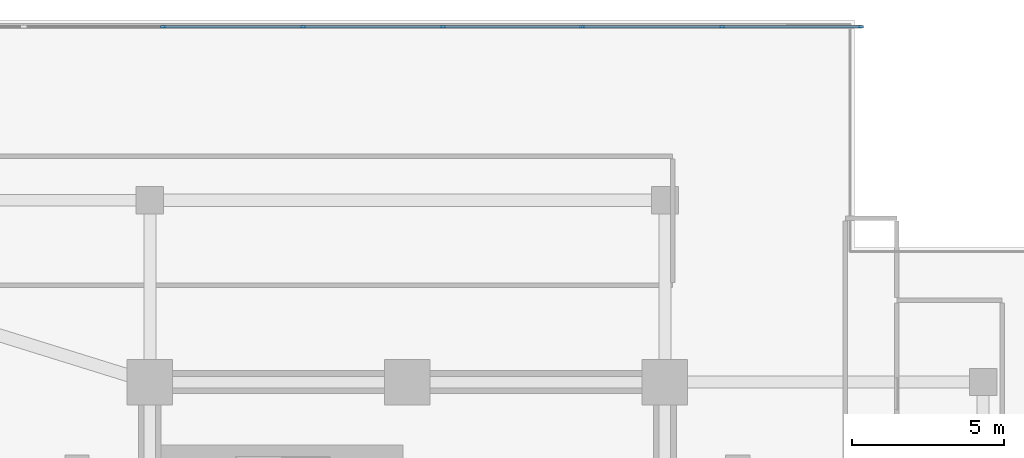
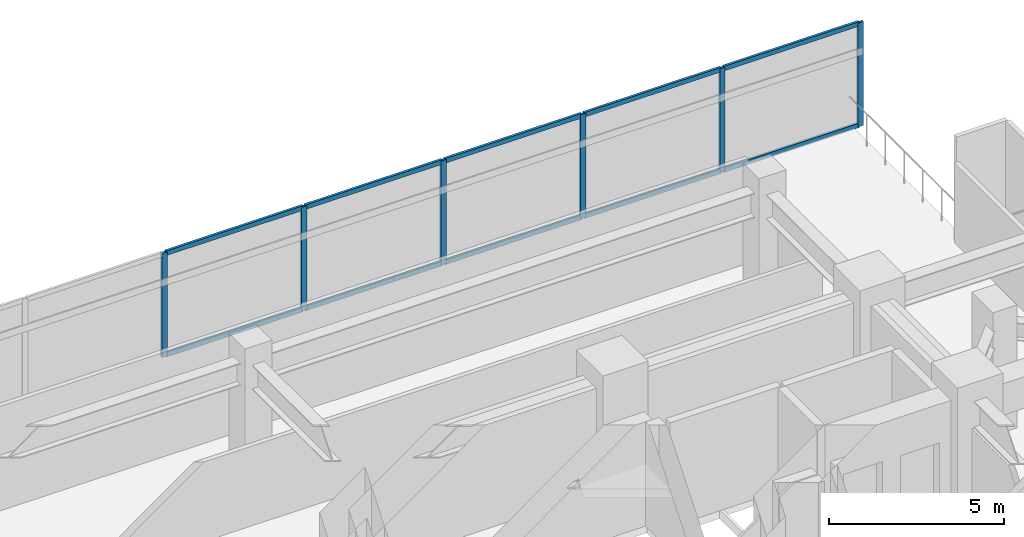
# One storey, part 10 of 26: 16 members, 1 element without a shape of its own.
"""IFC4 building model written with IfcOpenShell, lengths in metres."""

from ifc_helpers import new_model, si_unit, direction, frame, origin, origin_2d, place, context, subcontext, project, spatial, rectangle, extrude, material, material_profile, profile_set, type_object, element, aggregate, save


model = new_model("IFC4")

# Units and contexts
model_context = context("Model", 3, precision=1e-05, world=origin(), true_north=direction((0.0, 1.0)))
body_context = subcontext(model_context, "Body", "Model", "MODEL_VIEW")
ifc_project = project(units=[si_unit("LENGTHUNIT", "METRE"), si_unit("AREAUNIT", "SQUARE_METRE"), si_unit("VOLUMEUNIT", "CUBIC_METRE"), si_unit("PLANEANGLEUNIT", "RADIAN"), si_unit("MASSUNIT", "GRAM", prefix="KILO")], contexts=[model_context])

# Site, building, storey
site_placement = place(None, origin())
site = spatial("IfcSite", under=ifc_project, at=site_placement, CompositionType="ELEMENT")
building_placement = place(site_placement, origin())
building = spatial("IfcBuilding", under=site, at=building_placement, Name="Mirazonda Arch Towers", CompositionType="ELEMENT")
storey_placement = place(building_placement, frame((0.0, 0.0, 13.800048828125)))
storey = spatial("IfcBuildingStorey", under=building, at=storey_placement, Name="L03", CompositionType="ELEMENT", Elevation=13.800048828125)

# Curtain wall, members
ifc_material_1 = material(Name="Anodised Aluminium and Low-E Glass", Category="aluminium")
curtain_wall_type = type_object("IfcCurtainWallType", Name="CW-POD-STORE", PredefinedType="NOTDEFINED", material=ifc_material_1)
curtain_wall_placement = place(storey_placement, origin())
curtain_wall = element("IfcCurtainWall", 1, at=curtain_wall_placement, inside=storey, type_object=curtain_wall_type, Name="L03 Curtain Wall CW-L03-N1", PredefinedType="NOTDEFINED")
ifc_material_2 = material(Name="Anodised Aluminium Alloy", Category="aluminium")
ifc_material_profile_1 = material_profile(ifc_material_2, rectangle(XDim=0.080078125, YDim=0.179931640625, at=origin_2d()), Name="ALU-MULL-80x180")
ifc_profile_set_1 = profile_set([ifc_material_profile_1], Name="Anodised Aluminium Alloy")
member_type_1 = type_object("IfcMemberType", Name="MULL-CW-POD-STORE", PredefinedType="MULLION", material=ifc_profile_set_1)
member_1_placement = place(storey_placement, frame((68.4443359375, 52.530029296875, 0.0), z_axis=(0.0, 0.0, 1.0), x_axis=(0.0, 1.0, 0.0)))
member_1 = element("IfcMember", 2, at=member_1_placement, type_object=member_type_1, Name="CW-102 mullion 14", PredefinedType="MULLION", context=body_context, shape_type="SweptSolid", body=[
    extrude(rectangle(XDim=0.080078125, YDim=0.179931640625, at=origin_2d()), origin(), (0.0, 0.0, 1.0), 3.6298828125),
])
member_2_placement = place(storey_placement, frame((73.0556640625, 52.530029296875, 0.0), z_axis=(0.0, 0.0, 1.0), x_axis=(0.0, 1.0, 0.0)))
member_2 = element("IfcMember", 3, at=member_2_placement, type_object=member_type_1, Name="CW-102 mullion 15", PredefinedType="MULLION", context=body_context, shape_type="SweptSolid", body=[
    extrude(rectangle(XDim=0.080078125, YDim=0.179931640625, at=origin_2d()), origin(), (0.0, 0.0, 1.0), 3.6298828125),
])
member_3_placement = place(storey_placement, frame((77.666748046875, 52.530029296875, 0.0), z_axis=(0.0, 0.0, 1.0), x_axis=(0.0, 1.0, 0.0)))
member_3 = element("IfcMember", 4, at=member_3_placement, type_object=member_type_1, Name="CW-102 mullion 16", PredefinedType="MULLION", context=body_context, shape_type="SweptSolid", body=[
    extrude(rectangle(XDim=0.080078125, YDim=0.179931640625, at=origin_2d()), origin(), (0.0, 0.0, 1.0), 3.6298828125),
])
member_4_placement = place(storey_placement, frame((82.27783203125, 52.530029296875, 0.0), z_axis=(0.0, 0.0, 1.0), x_axis=(0.0, 1.0, 0.0)))
member_4 = element("IfcMember", 5, at=member_4_placement, type_object=member_type_1, Name="CW-102 mullion 17", PredefinedType="MULLION", context=body_context, shape_type="SweptSolid", body=[
    extrude(rectangle(XDim=0.080078125, YDim=0.179931640625, at=origin_2d()), origin(), (0.0, 0.0, 1.0), 3.6298828125),
])
member_5_placement = place(storey_placement, frame((86.888916015625, 52.530029296875, 0.0), z_axis=(0.0, 0.0, 1.0), x_axis=(0.0, 1.0, 0.0)))
member_5 = element("IfcMember", 6, at=member_5_placement, type_object=member_type_1, Name="CW-102 mullion 18", PredefinedType="MULLION", context=body_context, shape_type="SweptSolid", body=[
    extrude(rectangle(XDim=0.080078125, YDim=0.179931640625, at=origin_2d()), origin(), (0.0, 0.0, 1.0), 3.6298828125),
])
member_6_placement = place(storey_placement, frame((91.4599609375, 52.530029296875, 0.0), z_axis=(0.0, 0.0, 1.0), x_axis=(0.0, 1.0, 0.0)))
member_6 = element("IfcMember", 7, at=member_6_placement, type_object=member_type_1, Name="CW-102 mullion 19", PredefinedType="MULLION", context=body_context, shape_type="SweptSolid", body=[
    extrude(rectangle(XDim=0.080078125, YDim=0.179931640625, at=origin_2d()), origin(), (0.0, 0.0, 1.0), 3.6298828125),
])
ifc_material_profile_2 = material_profile(ifc_material_2, rectangle(XDim=0.080078125, YDim=0.159912109375, at=origin_2d()), Name="ALU-TRAN-80x160")
ifc_profile_set_2 = profile_set([ifc_material_profile_2], Name="Anodised Aluminium Alloy")
member_type_2 = type_object("IfcMemberType", Name="TRAN-CW-POD-STORE", PredefinedType="USERDEFINED", material=ifc_profile_set_2)
member_7_placement = place(storey_placement, frame((68.484375, 52.530029296875, 0.0400390625), z_axis=(1.0, 0.0, 0.0), x_axis=(0.0, 1.0, 0.0)))
member_7 = element("IfcMember", 8, at=member_7_placement, type_object=member_type_2, Name="CW-102 transom 14.1", ObjectType="TRANSOM", PredefinedType="USERDEFINED", context=body_context, shape_type="SweptSolid", body=[
    extrude(rectangle(XDim=0.080078125, YDim=0.159912109375, at=origin_2d()), origin(), (0.0, 0.0, 1.0), 4.53125),
])
member_8_placement = place(storey_placement, frame((68.484375, 52.530029296875, 3.58984375), z_axis=(1.0, 0.0, 0.0), x_axis=(0.0, 1.0, 0.0)))
member_8 = element("IfcMember", 9, at=member_8_placement, type_object=member_type_2, Name="CW-102 transom 14.2", ObjectType="TRANSOM", PredefinedType="USERDEFINED", context=body_context, shape_type="SweptSolid", body=[
    extrude(rectangle(XDim=0.080078125, YDim=0.159912109375, at=origin_2d()), origin(), (0.0, 0.0, 1.0), 4.53125),
])
member_9_placement = place(storey_placement, frame((73.095458984375, 52.530029296875, 0.0400390625), z_axis=(1.0, 0.0, 0.0), x_axis=(0.0, 1.0, 0.0)))
member_9 = element("IfcMember", 10, at=member_9_placement, type_object=member_type_2, Name="CW-102 transom 15.1", ObjectType="TRANSOM", PredefinedType="USERDEFINED", context=body_context, shape_type="SweptSolid", body=[
    extrude(rectangle(XDim=0.080078125, YDim=0.159912109375, at=origin_2d()), origin(), (0.0, 0.0, 1.0), 4.53125),
])
member_10_placement = place(storey_placement, frame((73.095458984375, 52.530029296875, 3.58984375), z_axis=(1.0, 0.0, 0.0), x_axis=(0.0, 1.0, 0.0)))
member_10 = element("IfcMember", 11, at=member_10_placement, type_object=member_type_2, Name="CW-102 transom 15.2", ObjectType="TRANSOM", PredefinedType="USERDEFINED", context=body_context, shape_type="SweptSolid", body=[
    extrude(rectangle(XDim=0.080078125, YDim=0.159912109375, at=origin_2d()), origin(), (0.0, 0.0, 1.0), 4.53125),
])
member_11_placement = place(storey_placement, frame((77.706787109375, 52.530029296875, 0.0400390625), z_axis=(1.0, 0.0, 0.0), x_axis=(0.0, 1.0, 0.0)))
member_11 = element("IfcMember", 12, at=member_11_placement, type_object=member_type_2, Name="CW-102 transom 16.1", ObjectType="TRANSOM", PredefinedType="USERDEFINED", context=body_context, shape_type="SweptSolid", body=[
    extrude(rectangle(XDim=0.080078125, YDim=0.159912109375, at=origin_2d()), origin(), (0.0, 0.0, 1.0), 4.531005859375),
])
member_12_placement = place(storey_placement, frame((77.706787109375, 52.530029296875, 3.58984375), z_axis=(1.0, 0.0, 0.0), x_axis=(0.0, 1.0, 0.0)))
member_12 = element("IfcMember", 13, at=member_12_placement, type_object=member_type_2, Name="CW-102 transom 16.2", ObjectType="TRANSOM", PredefinedType="USERDEFINED", context=body_context, shape_type="SweptSolid", body=[
    extrude(rectangle(XDim=0.080078125, YDim=0.159912109375, at=origin_2d()), origin(), (0.0, 0.0, 1.0), 4.531005859375),
])
member_13_placement = place(storey_placement, frame((82.31787109375, 52.530029296875, 0.0400390625), z_axis=(1.0, 0.0, 0.0), x_axis=(0.0, 1.0, 0.0)))
member_13 = element("IfcMember", 14, at=member_13_placement, type_object=member_type_2, Name="CW-102 transom 17.1", ObjectType="TRANSOM", PredefinedType="USERDEFINED", context=body_context, shape_type="SweptSolid", body=[
    extrude(rectangle(XDim=0.080078125, YDim=0.159912109375, at=origin_2d()), origin(), (0.0, 0.0, 1.0), 4.531005859375),
])
member_14_placement = place(storey_placement, frame((82.31787109375, 52.530029296875, 3.58984375), z_axis=(1.0, 0.0, 0.0), x_axis=(0.0, 1.0, 0.0)))
member_14 = element("IfcMember", 15, at=member_14_placement, type_object=member_type_2, Name="CW-102 transom 17.2", ObjectType="TRANSOM", PredefinedType="USERDEFINED", context=body_context, shape_type="SweptSolid", body=[
    extrude(rectangle(XDim=0.080078125, YDim=0.159912109375, at=origin_2d()), origin(), (0.0, 0.0, 1.0), 4.531005859375),
])
member_15_placement = place(storey_placement, frame((86.928955078125, 52.530029296875, 0.0400390625), z_axis=(1.0, 0.0, 0.0), x_axis=(0.0, 1.0, 0.0)))
member_15 = element("IfcMember", 16, at=member_15_placement, type_object=member_type_2, Name="CW-102 transom 18.1", ObjectType="TRANSOM", PredefinedType="USERDEFINED", context=body_context, shape_type="SweptSolid", body=[
    extrude(rectangle(XDim=0.080078125, YDim=0.159912109375, at=origin_2d()), origin(), (0.0, 0.0, 1.0), 4.490966796875),
])
member_16_placement = place(storey_placement, frame((86.928955078125, 52.530029296875, 3.58984375), z_axis=(1.0, 0.0, 0.0), x_axis=(0.0, 1.0, 0.0)))
member_16 = element("IfcMember", 17, at=member_16_placement, type_object=member_type_2, Name="CW-102 transom 18.2", ObjectType="TRANSOM", PredefinedType="USERDEFINED", context=body_context, shape_type="SweptSolid", body=[
    extrude(rectangle(XDim=0.080078125, YDim=0.159912109375, at=origin_2d()), origin(), (0.0, 0.0, 1.0), 4.490966796875),
])
aggregate(curtain_wall, [member_1, member_2, member_3, member_4, member_5, member_6, member_7, member_8, member_9, member_10, member_11, member_12, member_13, member_14, member_15, member_16])

save(model, "model.ifc")
